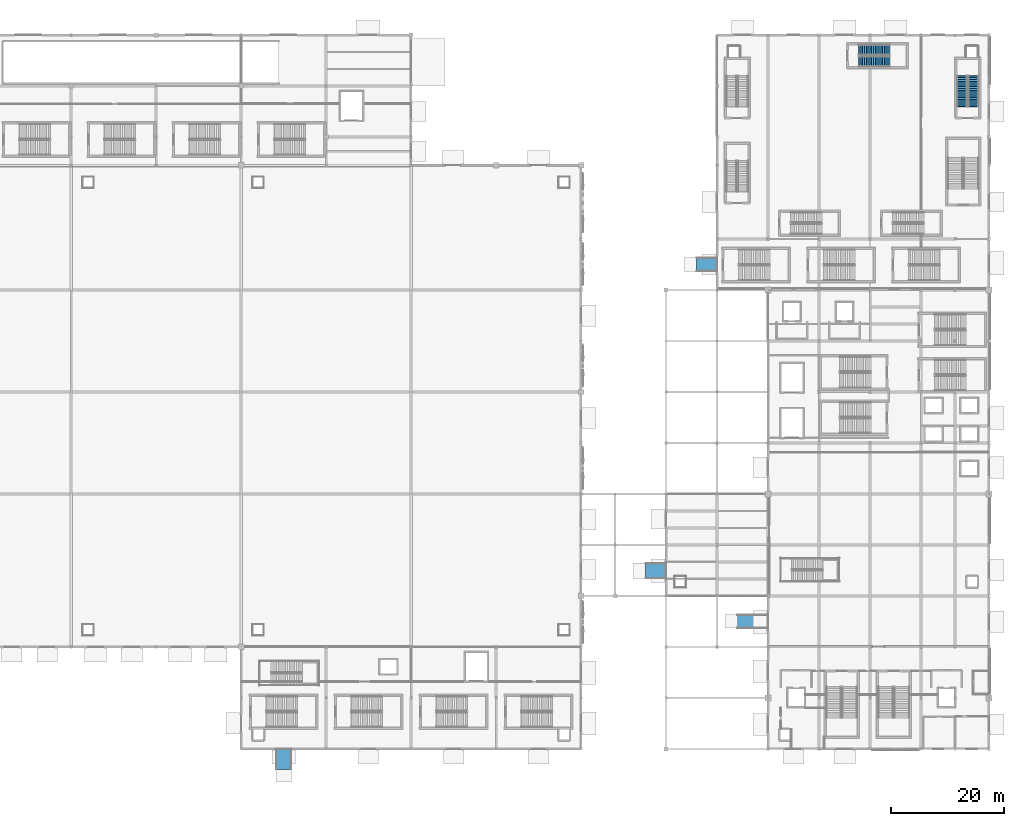
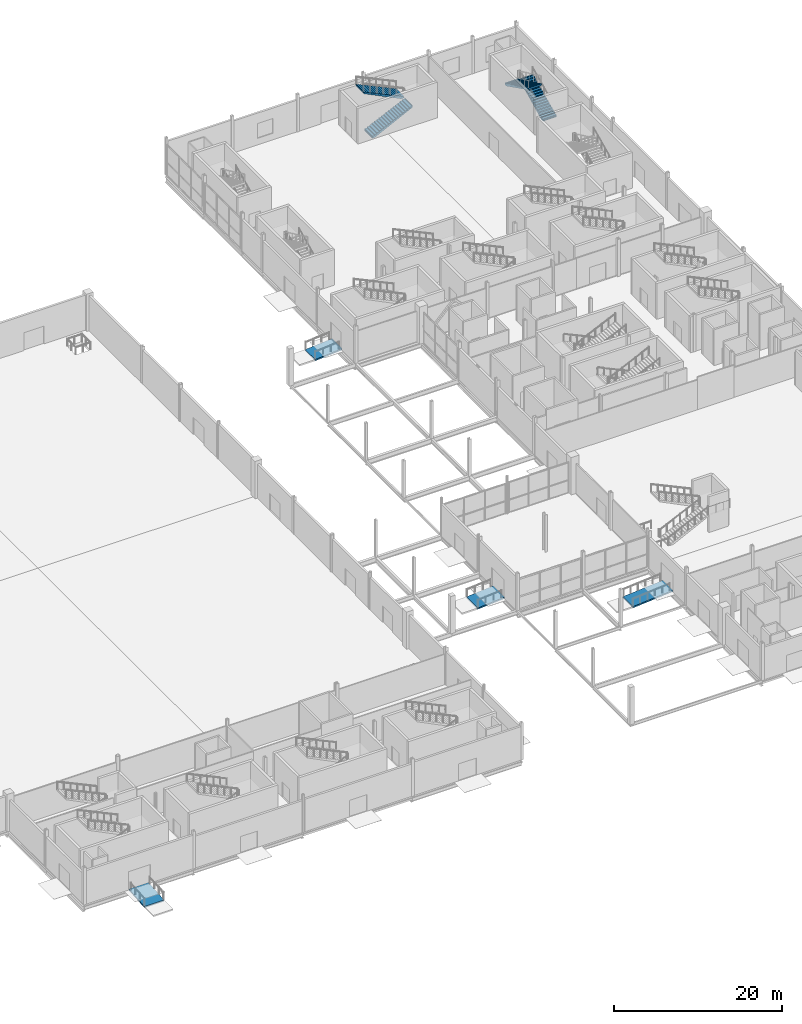
# One storey, part 68 of 94: 4 ramp flights, 4 stair flights, 6 elements without a shape of their own.
"""IFC4 building model written with IfcOpenShell, lengths in metres."""

from ifc_helpers import new_model, si_unit, direction, frame, origin, place, context, subcontext, project, spatial, polyline, outline, extrude, material, layer, layer_set, type_object, element, aggregate, save


model = new_model("IFC4")

# Units and contexts
model_context = context("Model", 3, precision=1e-05, world=origin(), true_north=direction((0.0, 1.0)))
body_context = subcontext(model_context, "Body", "Model", "MODEL_VIEW")
ifc_project = project(units=[si_unit("LENGTHUNIT", "METRE"), si_unit("AREAUNIT", "SQUARE_METRE"), si_unit("VOLUMEUNIT", "CUBIC_METRE"), si_unit("PLANEANGLEUNIT", "RADIAN"), si_unit("MASSUNIT", "GRAM", prefix="KILO")], contexts=[model_context])

# Site, building, storey
site_placement = place(None, origin())
site = spatial("IfcSite", under=ifc_project, at=site_placement, CompositionType="ELEMENT")
building_placement = place(site_placement, origin())
building = spatial("IfcBuilding", under=site, at=building_placement, Name="Qamarlyn Nura Convention Centre", CompositionType="ELEMENT")
storey_placement = place(building_placement, origin())
storey = spatial("IfcBuildingStorey", under=building, at=storey_placement, Name="L00", CompositionType="ELEMENT", Elevation=0.0)

# Stair, stair flights
ifc_material = material(Name="Concrete C40/50", Category="concrete")
stair_type = type_object("IfcStairType", Name="STAIR-VOM-54", PredefinedType="HALF_TURN_STAIR", material=ifc_material)
stair_1_placement = place(storey_placement, origin())
stair_1 = element("IfcStair", 1, at=stair_1_placement, inside=storey, type_object=stair_type, Name="L00 Plenary vomitory stair ST-VOM5", PredefinedType="HALF_TURN_STAIR")
stair_flight_type = type_object("IfcStairFlightType", Name="FLIGHT-VOM-54", PredefinedType="STRAIGHT", material=ifc_material)
stair_flight_1_placement = place(storey_placement, frame((169.050048828125, 121.324951171875, 0.0), z_axis=(0.0, 0.0, 1.0), x_axis=(1.0, 0.0, 0.0)))
stair_flight_1 = element("IfcStairFlight", 2, at=stair_flight_1_placement, type_object=stair_flight_type, Name="ST-VOM5 flight 1", NumberOfRisers=18, NumberOfTreads=17, PredefinedType="STRAIGHT", RiserHeight=0.15, TreadLength=0.32, context=body_context, shape_type="SweptSolid", body=[
    extrude(outline(polyline([(-0.054931640625, 0.0), (0.0, 0.0), (0.0, 0.14990234375), (0.320068359375, 0.14990234375), (0.320068359375, 0.300048828125), (0.639892578125, 0.300048828125), (0.639892578125, 0.449951171875), (0.9599609375, 0.449951171875), (0.9599609375, 0.60009765625), (1.280029296875, 0.60009765625), (1.280029296875, 0.75), (1.60009765625, 0.75), (1.60009765625, 0.89990234375), (1.919921875, 0.89990234375), (1.919921875, 1.050048828125), (2.239990234375, 1.050048828125), (2.239990234375, 1.199951171875), (2.56005859375, 1.199951171875), (2.56005859375, 1.35009765625), (2.8798828125, 1.35009765625), (2.8798828125, 1.5), (3.199951171875, 1.5), (3.199951171875, 1.64990234375), (3.52001953125, 1.64990234375), (3.52001953125, 1.800048828125), (3.840087890625, 1.800048828125), (3.840087890625, 1.949951171875), (4.159912109375, 1.949951171875), (4.159912109375, 2.10009765625), (4.47998046875, 2.10009765625), (4.47998046875, 2.25), (4.800048828125, 2.25), (4.800048828125, 2.39990234375), (5.1201171875, 2.39990234375), (5.1201171875, 2.550048828125), (5.43994140625, 2.550048828125), (5.43994140625, 2.699951171875), (5.494873046875, 2.699951171875), (5.494873046875, 2.56005859375), (5.43994140625, 2.384521484375), (0.353271484375, -0.139892578125), (-0.054931640625, -0.139892578125), (-0.054931640625, 0.0)])), frame((0.0, 0.925048828125, 0.0), z_axis=(0.0, -1.0, 0.0), x_axis=(1.0, 0.0, 0.0)), (0.0, 0.0, 1.0), 1.85009765625),
])
stair_flight_2_placement = place(storey_placement, frame((174.489990234375, 123.35498046875, 2.699951171875), z_axis=(0.0, 0.0, 1.0), x_axis=(-1.0, 0.0, 0.0)))
stair_flight_2 = element("IfcStairFlight", 3, at=stair_flight_2_placement, type_object=stair_flight_type, Name="ST-VOM5 flight 2", NumberOfRisers=18, NumberOfTreads=17, PredefinedType="STRAIGHT", RiserHeight=0.15, TreadLength=0.32, context=body_context, shape_type="SweptSolid", body=[
    extrude(outline(polyline([(-0.054931640625, 0.0), (0.0, 0.0), (0.0, 0.14990234375), (0.320068359375, 0.14990234375), (0.320068359375, 0.300048828125), (0.639892578125, 0.300048828125), (0.639892578125, 0.449951171875), (0.9599609375, 0.449951171875), (0.9599609375, 0.60009765625), (1.280029296875, 0.60009765625), (1.280029296875, 0.75), (1.60009765625, 0.75), (1.60009765625, 0.89990234375), (1.919921875, 0.89990234375), (1.919921875, 1.050048828125), (2.239990234375, 1.050048828125), (2.239990234375, 1.199951171875), (2.56005859375, 1.199951171875), (2.56005859375, 1.35009765625), (2.8798828125, 1.35009765625), (2.8798828125, 1.5), (3.199951171875, 1.5), (3.199951171875, 1.64990234375), (3.52001953125, 1.64990234375), (3.52001953125, 1.800048828125), (3.840087890625, 1.800048828125), (3.840087890625, 1.949951171875), (4.159912109375, 1.949951171875), (4.159912109375, 2.10009765625), (4.47998046875, 2.10009765625), (4.47998046875, 2.25), (4.800048828125, 2.25), (4.800048828125, 2.39990234375), (5.1201171875, 2.39990234375), (5.1201171875, 2.550048828125), (5.43994140625, 2.550048828125), (5.43994140625, 2.699951171875), (5.494873046875, 2.699951171875), (5.494873046875, 2.56005859375), (5.43994140625, 2.384521484375), (0.353271484375, -0.139892578125), (-0.054931640625, -0.139892578125), (-0.054931640625, 0.0)])), frame((0.0, 0.925048828125, 0.0), z_axis=(0.0, -1.0, 0.0), x_axis=(1.0, 0.0, 0.0)), (0.0, 0.0, 1.0), 1.85009765625),
])
aggregate(stair_1, [stair_flight_1, stair_flight_2])

stair_2_placement = place(storey_placement, origin())
stair_2 = element("IfcStair", 4, at=stair_2_placement, inside=storey, type_object=stair_type, Name="L00 Plenary vomitory stair ST-VOM6", PredefinedType="HALF_TURN_STAIR")
stair_flight_3_placement = place(storey_placement, frame((189.27490234375, 113.35009765625, 0.0), z_axis=(0.0, 0.0, 1.0), x_axis=(0.0, 1.0, 0.0)))
stair_flight_3 = element("IfcStairFlight", 5, at=stair_flight_3_placement, type_object=stair_flight_type, Name="ST-VOM6 flight 1", NumberOfRisers=18, NumberOfTreads=17, PredefinedType="STRAIGHT", RiserHeight=0.15, TreadLength=0.32, context=body_context, shape_type="SweptSolid", body=[
    extrude(outline(polyline([(-0.054931640625, 0.0), (0.0, 0.0), (0.0, 0.14990234375), (0.320068359375, 0.14990234375), (0.320068359375, 0.300048828125), (0.639892578125, 0.300048828125), (0.639892578125, 0.449951171875), (0.9599609375, 0.449951171875), (0.9599609375, 0.60009765625), (1.280029296875, 0.60009765625), (1.280029296875, 0.75), (1.60009765625, 0.75), (1.60009765625, 0.89990234375), (1.919921875, 0.89990234375), (1.919921875, 1.050048828125), (2.239990234375, 1.050048828125), (2.239990234375, 1.199951171875), (2.56005859375, 1.199951171875), (2.56005859375, 1.35009765625), (2.8798828125, 1.35009765625), (2.8798828125, 1.5), (3.199951171875, 1.5), (3.199951171875, 1.64990234375), (3.52001953125, 1.64990234375), (3.52001953125, 1.800048828125), (3.840087890625, 1.800048828125), (3.840087890625, 1.949951171875), (4.159912109375, 1.949951171875), (4.159912109375, 2.10009765625), (4.47998046875, 2.10009765625), (4.47998046875, 2.25), (4.800048828125, 2.25), (4.800048828125, 2.39990234375), (5.1201171875, 2.39990234375), (5.1201171875, 2.550048828125), (5.43994140625, 2.550048828125), (5.43994140625, 2.699951171875), (5.494873046875, 2.699951171875), (5.494873046875, 2.56005859375), (5.43994140625, 2.384521484375), (0.353271484375, -0.139892578125), (-0.054931640625, -0.139892578125), (-0.054931640625, 0.0)])), frame((0.0, 0.925048828125, 0.0), z_axis=(0.0, -1.0, 0.0), x_axis=(1.0, 0.0, 0.0)), (0.0, 0.0, 1.0), 1.85009765625),
])
stair_flight_4_placement = place(storey_placement, frame((187.2451171875, 118.7900390625, 2.699951171875), z_axis=(0.0, 0.0, 1.0), x_axis=(0.0, -1.0, 0.0)))
stair_flight_4 = element("IfcStairFlight", 6, at=stair_flight_4_placement, type_object=stair_flight_type, Name="ST-VOM6 flight 2", NumberOfRisers=18, NumberOfTreads=17, PredefinedType="STRAIGHT", RiserHeight=0.15, TreadLength=0.32, context=body_context, shape_type="SweptSolid", body=[
    extrude(outline(polyline([(-0.054931640625, 0.0), (0.0, 0.0), (0.0, 0.14990234375), (0.320068359375, 0.14990234375), (0.320068359375, 0.300048828125), (0.639892578125, 0.300048828125), (0.639892578125, 0.449951171875), (0.9599609375, 0.449951171875), (0.9599609375, 0.60009765625), (1.280029296875, 0.60009765625), (1.280029296875, 0.75), (1.60009765625, 0.75), (1.60009765625, 0.89990234375), (1.919921875, 0.89990234375), (1.919921875, 1.050048828125), (2.239990234375, 1.050048828125), (2.239990234375, 1.199951171875), (2.56005859375, 1.199951171875), (2.56005859375, 1.35009765625), (2.8798828125, 1.35009765625), (2.8798828125, 1.5), (3.199951171875, 1.5), (3.199951171875, 1.64990234375), (3.52001953125, 1.64990234375), (3.52001953125, 1.800048828125), (3.840087890625, 1.800048828125), (3.840087890625, 1.949951171875), (4.159912109375, 1.949951171875), (4.159912109375, 2.10009765625), (4.47998046875, 2.10009765625), (4.47998046875, 2.25), (4.800048828125, 2.25), (4.800048828125, 2.39990234375), (5.1201171875, 2.39990234375), (5.1201171875, 2.550048828125), (5.43994140625, 2.550048828125), (5.43994140625, 2.699951171875), (5.494873046875, 2.699951171875), (5.494873046875, 2.56005859375), (5.43994140625, 2.384521484375), (0.353271484375, -0.139892578125), (-0.054931640625, -0.139892578125), (-0.054931640625, 0.0)])), frame((0.0, 0.925048828125, 0.0), z_axis=(0.0, -1.0, 0.0), x_axis=(1.0, 0.0, 0.0)), (0.0, 0.0, 1.0), 1.85009765625),
])
aggregate(stair_2, [stair_flight_3, stair_flight_4])

# Ramp, ramp flight
ramp_type_1 = type_object("IfcRampType", Name="RAMP-PED-240", PredefinedType="STRAIGHT_RUN_RAMP", material=ifc_material)
ramp_1_placement = place(storey_placement, origin())
ramp_1 = element("IfcRamp", 7, at=ramp_1_placement, inside=storey, type_object=ramp_type_1, Name="South Forecourt accessible entrance ramp PR-01", PredefinedType="STRAIGHT_RUN_RAMP")
ifc_layer_1 = layer(ifc_material, 0.219970703125, Name="RFLIGHT-PED-240")
ifc_layer_set_1 = layer_set([ifc_layer_1], Name="Concrete C40/50")
ramp_flight_type_1 = type_object("IfcRampFlightType", Name="RFLIGHT-PED-240", PredefinedType="STRAIGHT", material=ifc_layer_set_1)
ramp_flight_1_placement = place(storey_placement, frame((147.60009765625, 22.5, -0.449951171875), z_axis=(0.0, 0.0, 1.0), x_axis=(1.0, 0.0, 0.0)))
ramp_flight_1 = element("IfcRampFlight", 8, at=ramp_flight_1_placement, type_object=ramp_flight_type_1, Name="South Forecourt accessible entrance ramp PR-01 flight 1", PredefinedType="STRAIGHT", context=body_context, shape_type="SweptSolid", body=[
    extrude(outline(polyline([(-0.054931640625, 0.0), (5.454833984375, 0.449951171875), (5.454833984375, 0.25), (-0.054931640625, -0.199951171875), (-0.054931640625, 0.0)])), frame((0.0, 1.199951171875, 0.0), z_axis=(0.0, -1.0, 0.0), x_axis=(1.0, 0.0, 0.0)), (0.0, 0.0, 1.0), 2.39990234375),
])
aggregate(ramp_1, [ramp_flight_1])

ramp_2_placement = place(storey_placement, origin())
ramp_2 = element("IfcRamp", 9, at=ramp_2_placement, inside=storey, type_object=ramp_type_1, Name="North Plenary accessible entrance ramp PR-04", PredefinedType="STRAIGHT_RUN_RAMP")
ramp_flight_2_placement = place(storey_placement, frame((140.39990234375, 85.5, -0.300048828125), z_axis=(0.0, 0.0, 1.0), x_axis=(1.0, 0.0, 0.0)))
ramp_flight_2 = element("IfcRampFlight", 10, at=ramp_flight_2_placement, type_object=ramp_flight_type_1, Name="North Plenary accessible entrance ramp PR-04 flight 1", PredefinedType="STRAIGHT", context=body_context, shape_type="SweptSolid", body=[
    extrude(outline(polyline([(-0.054931640625, 0.0), (3.655029296875, 0.300048828125), (3.655029296875, 0.10009765625), (-0.054931640625, -0.199951171875), (-0.054931640625, 0.0)])), frame((0.0, 1.199951171875, 0.0), z_axis=(0.0, -1.0, 0.0), x_axis=(1.0, 0.0, 0.0)), (0.0, 0.0, 1.0), 2.39990234375),
])
aggregate(ramp_2, [ramp_flight_2])

ramp_type_2 = type_object("IfcRampType", Name="RAMP-PED-270", PredefinedType="STRAIGHT_RUN_RAMP", material=ifc_material)
ramp_3_placement = place(storey_placement, origin())
ramp_3 = element("IfcRamp", 11, at=ramp_3_placement, inside=storey, type_object=ramp_type_2, Name="Passage Concourse accessible entrance ramp PR-02", PredefinedType="STRAIGHT_RUN_RAMP")
ifc_layer_2 = layer(ifc_material, 0.219970703125, Name="RFLIGHT-PED-270")
ifc_layer_set_2 = layer_set([ifc_layer_2], Name="Concrete C40/50")
ramp_flight_type_2 = type_object("IfcRampFlightType", Name="RFLIGHT-PED-270", PredefinedType="STRAIGHT", material=ifc_layer_set_2)
ramp_flight_3_placement = place(storey_placement, frame((131.39990234375, 31.429931640625, -0.300048828125), z_axis=(0.0, 0.0, 1.0), x_axis=(1.0, 0.0, 0.0)))
ramp_flight_3 = element("IfcRampFlight", 12, at=ramp_flight_3_placement, type_object=ramp_flight_type_2, Name="Passage Concourse accessible entrance ramp PR-02 flight 1", PredefinedType="STRAIGHT", context=body_context, shape_type="SweptSolid", body=[
    extrude(outline(polyline([(-0.054931640625, 0.0), (3.655029296875, 0.300048828125), (3.655029296875, 0.10009765625), (-0.054931640625, -0.199951171875), (-0.054931640625, 0.0)])), frame((0.0, 1.35009765625, 0.0), z_axis=(0.0, -1.0, 0.0), x_axis=(1.0, 0.0, 0.0)), (0.0, 0.0, 1.0), 2.699951171875),
])
aggregate(ramp_3, [ramp_flight_3])

ramp_4_placement = place(storey_placement, origin())
ramp_4 = element("IfcRamp", 13, at=ramp_4_placement, inside=storey, type_object=ramp_type_2, Name="West Exhibition accessible entrance ramp PR-03", PredefinedType="STRAIGHT_RUN_RAMP")
ramp_flight_4_placement = place(storey_placement, frame((67.5, -3.60009765625, -0.300048828125), z_axis=(0.0, 0.0, 1.0), x_axis=(0.0, 1.0, 0.0)))
ramp_flight_4 = element("IfcRampFlight", 14, at=ramp_flight_4_placement, type_object=ramp_flight_type_2, Name="West Exhibition accessible entrance ramp PR-03 flight 1", PredefinedType="STRAIGHT", context=body_context, shape_type="SweptSolid", body=[
    extrude(outline(polyline([(-0.054931640625, 0.0), (3.655029296875, 0.300048828125), (3.655029296875, 0.10009765625), (-0.054931640625, -0.199951171875), (-0.054931640625, 0.0)])), frame((0.0, 1.35009765625, 0.0), z_axis=(0.0, -1.0, 0.0), x_axis=(1.0, 0.0, 0.0)), (0.0, 0.0, 1.0), 2.699951171875),
])
aggregate(ramp_4, [ramp_flight_4])

save(model, "model.ifc")
